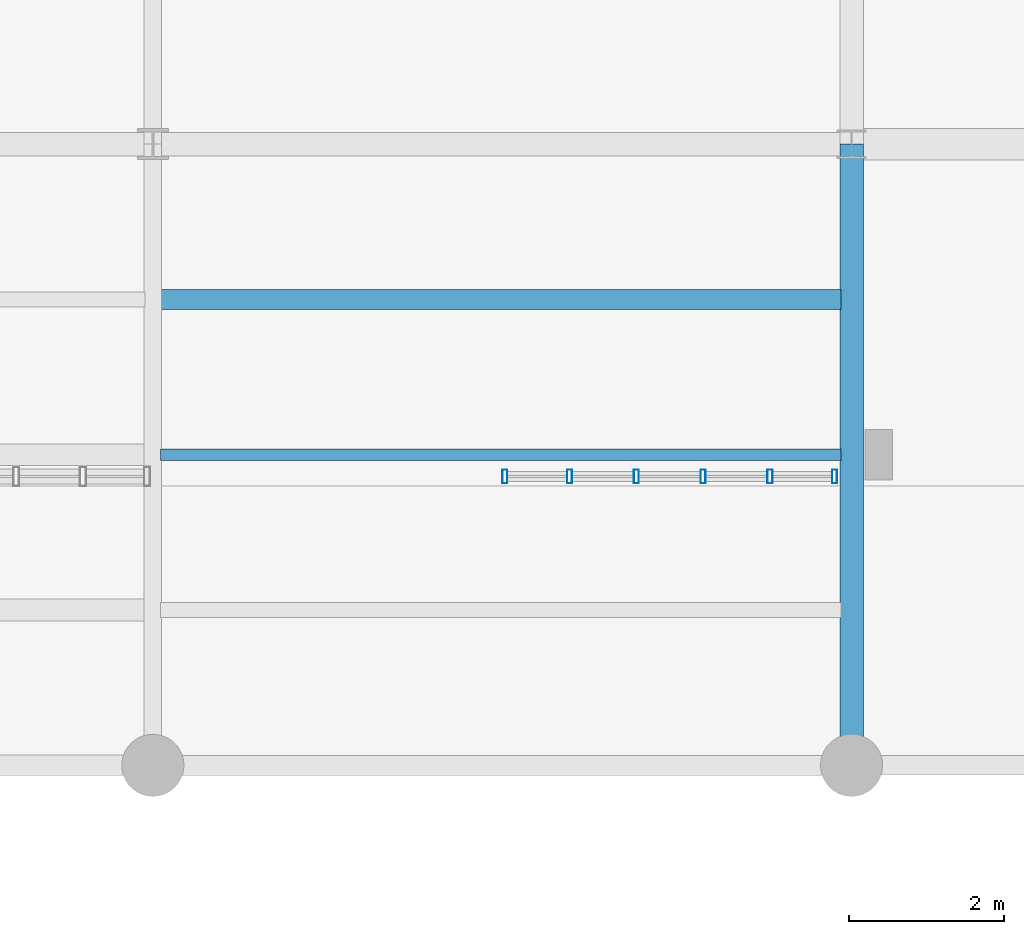
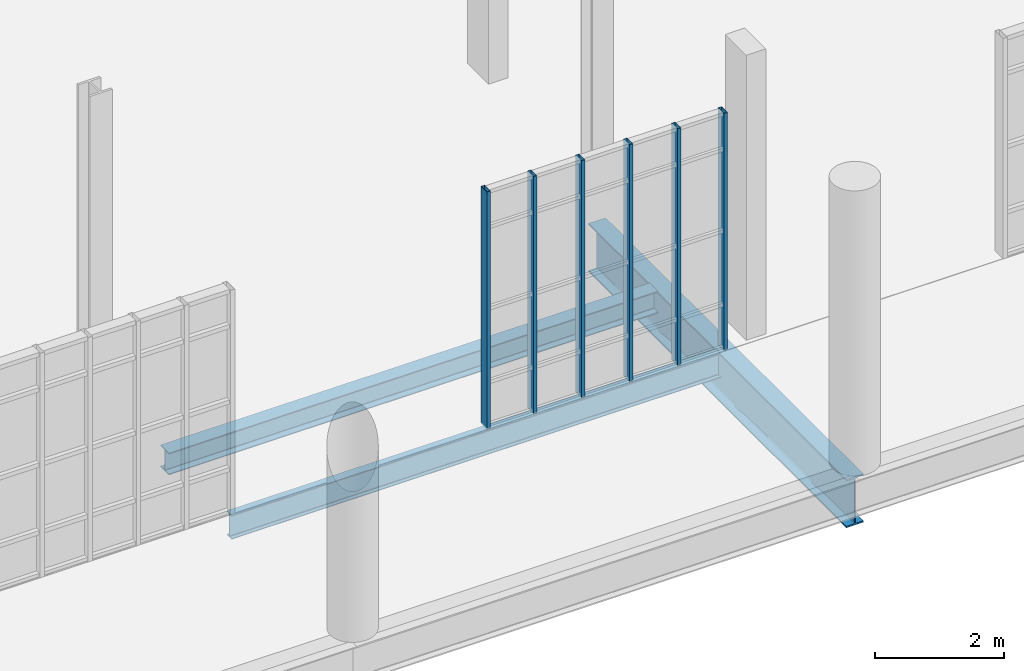
# One storey, part 104 of 189: 6 members, 3 beams, 1 element without a shape of its own.
"""IFC4 building model written with IfcOpenShell, lengths in metres."""

from ifc_helpers import new_model, si_unit, direction, frame, origin, origin_2d, place, context, subcontext, project, spatial, hollow_rectangle, i_section, extrude, material, layer, layer_set, material_profile, profile_set, type_object, element, aggregate, save


model = new_model("IFC4")

# Units and contexts
model_context = context("Model", 3, precision=1e-05, world=origin(), true_north=direction((0.0, 1.0)))
body_context = subcontext(model_context, "Body", "Model", "MODEL_VIEW")
ifc_project = project(units=[si_unit("LENGTHUNIT", "METRE"), si_unit("AREAUNIT", "SQUARE_METRE"), si_unit("VOLUMEUNIT", "CUBIC_METRE"), si_unit("PLANEANGLEUNIT", "RADIAN"), si_unit("MASSUNIT", "GRAM", prefix="KILO"), si_unit("THERMODYNAMICTEMPERATUREUNIT", "KELVIN"), si_unit("POWERUNIT", "WATT")], contexts=[model_context])

# Site, building, storey
site_placement = place(None, origin())
site = spatial("IfcSite", under=ifc_project, at=site_placement, CompositionType="ELEMENT")
building_placement = place(site_placement, origin())
building = spatial("IfcBuilding", under=site, at=building_placement, Name="Zelmaris Science Centre", CompositionType="ELEMENT")
storey_placement = place(building_placement, origin())
storey = spatial("IfcBuildingStorey", under=building, at=storey_placement, Name="L00", CompositionType="ELEMENT", Elevation=0.0)

# Curtain wall, members
ifc_material_1 = material(Name="Anodised architectural aluminium 6063-T6", Category="aluminium")
ifc_layer = layer(ifc_material_1, 0.2099609375, Name="Anodised architectural aluminium 6063-T6")
ifc_layer_set = layer_set([ifc_layer], Name="Anodised architectural aluminium 6063-T6")
curtain_wall_type = type_object("IfcCurtainWallType", Name="Curtain Wall CW-03", PredefinedType="USERDEFINED", material=ifc_layer_set)
curtain_wall_placement = place(storey_placement, origin())
curtain_wall = element("IfcCurtainWall", 1, at=curtain_wall_placement, inside=storey, type_object=curtain_wall_type, Name="L00 Unitised curtain wall 103", ObjectType="GLAZED CURTAIN WALL", PredefinedType="USERDEFINED")
ifc_material_profile_1 = material_profile(ifc_material_1, hollow_rectangle(XDim=0.06494140625, YDim=0.179931640625, WallThickness=0.00390625, at=origin_2d()), Name="ALU-MUL-65X180")
ifc_profile_set_1 = profile_set([ifc_material_profile_1], Name="Anodised architectural aluminium 6063-T6")
member_type = type_object("IfcMemberType", Name="ALU-MUL-65X180", PredefinedType="MULLION", material=ifc_profile_set_1)
member_1_placement = place(storey_placement, frame((143.781494140625, 11.72021484375, -0.014892578125), z_axis=(0.0, 0.0, 1.0), x_axis=(-1.0, 0.0, 0.0)))
member_1 = element("IfcMember", 2, at=member_1_placement, type_object=member_type, Name="CW-03 mullion 1", PredefinedType="MULLION", context=body_context, shape_type="SweptSolid", body=[
    extrude(hollow_rectangle(XDim=0.06494140625, YDim=0.179931640625, WallThickness=0.00390625, at=origin_2d()), origin(), (0.0, 0.0, 1.0), 4.48779296875),
])
member_2_placement = place(storey_placement, frame((142.94921875, 11.72021484375, -0.014892578125), z_axis=(0.0, 0.0, 1.0), x_axis=(-1.0, 0.0, 0.0)))
member_2 = element("IfcMember", 3, at=member_2_placement, type_object=member_type, Name="CW-03 mullion 2", PredefinedType="MULLION", context=body_context, shape_type="SweptSolid", body=[
    extrude(hollow_rectangle(XDim=0.06494140625, YDim=0.179931640625, WallThickness=0.00390625, at=origin_2d()), origin(), (0.0, 0.0, 1.0), 4.48779296875),
])
member_3_placement = place(storey_placement, frame((142.088623046875, 11.72021484375, -0.014892578125), z_axis=(0.0, 0.0, 1.0), x_axis=(-1.0, 0.0, 0.0)))
member_3 = element("IfcMember", 4, at=member_3_placement, type_object=member_type, Name="CW-03 mullion 3", PredefinedType="MULLION", context=body_context, shape_type="SweptSolid", body=[
    extrude(hollow_rectangle(XDim=0.06494140625, YDim=0.179931640625, WallThickness=0.00390625, at=origin_2d()), origin(), (0.0, 0.0, 1.0), 4.48779296875),
])
member_4_placement = place(storey_placement, frame((141.227783203125, 11.72021484375, -0.014892578125), z_axis=(0.0, 0.0, 1.0), x_axis=(-1.0, 0.0, 0.0)))
member_4 = element("IfcMember", 5, at=member_4_placement, type_object=member_type, Name="CW-03 mullion 4", PredefinedType="MULLION", context=body_context, shape_type="SweptSolid", body=[
    extrude(hollow_rectangle(XDim=0.06494140625, YDim=0.179931640625, WallThickness=0.00390625, at=origin_2d()), origin(), (0.0, 0.0, 1.0), 4.48779296875),
])
member_5_placement = place(storey_placement, frame((140.366943359375, 11.72021484375, -0.014892578125), z_axis=(0.0, 0.0, 1.0), x_axis=(-1.0, 0.0, 0.0)))
member_5 = element("IfcMember", 6, at=member_5_placement, type_object=member_type, Name="CW-03 mullion 5", PredefinedType="MULLION", context=body_context, shape_type="SweptSolid", body=[
    extrude(hollow_rectangle(XDim=0.06494140625, YDim=0.179931640625, WallThickness=0.00390625, at=origin_2d()), origin(), (0.0, 0.0, 1.0), 4.48779296875),
])
member_6_placement = place(storey_placement, frame((139.534912109375, 11.72021484375, -0.014892578125), z_axis=(0.0, 0.0, 1.0), x_axis=(-1.0, 0.0, 0.0)))
member_6 = element("IfcMember", 7, at=member_6_placement, type_object=member_type, Name="CW-03 mullion 6", PredefinedType="MULLION", context=body_context, shape_type="SweptSolid", body=[
    extrude(hollow_rectangle(XDim=0.06494140625, YDim=0.179931640625, WallThickness=0.00390625, at=origin_2d()), origin(), (0.0, 0.0, 1.0), 4.48779296875),
])
aggregate(curtain_wall, [member_1, member_2, member_3, member_4, member_5, member_6])

# Beams
ifc_material_2 = material(Name="Steel ASTM A992 Grade 50", Category="steel")
ifc_material_profile_2 = material_profile(ifc_material_2, i_section(OverallWidth=0.304931640625, OverallDepth=0.9189453125, WebThickness=0.017333984375, FlangeThickness=0.02783203125, FilletRadius=0.02392578125, at=origin_2d()), Name="W36X170")
ifc_profile_set_2 = profile_set([ifc_material_profile_2], Name="Steel ASTM A992 Grade 50")
beam_type_1 = type_object("IfcBeamType", Name="Beam G-26 W36X170", PredefinedType="BEAM", material=ifc_profile_set_2)
beam_1_placement = place(storey_placement, frame((144.0, 8.0, -0.74951171875), z_axis=(0.0, 1.0, 0.0), x_axis=(-1.0, 0.0, 0.0)))
element("IfcBeam", 8, at=beam_1_placement, inside=storey, type_object=beam_type_1, Name="L00 North-south girder 77", PredefinedType="BEAM", context=body_context, shape_type="SweptSolid", body=[
    extrude(i_section(OverallWidth=0.304931640625, OverallDepth=0.9189453125, WebThickness=0.017333984375, FlangeThickness=0.02783203125, FilletRadius=0.02392578125, at=origin_2d()), origin(), (0.0, 0.0, 1.0), 8.0),
])
ifc_material_profile_3 = material_profile(ifc_material_2, i_section(OverallWidth=0.152099609375, OverallDepth=0.455078125, WebThickness=0.008056640625, FlangeThickness=0.01318359375, FilletRadius=0.012939453125, at=origin_2d()), Name="W18X40")
ifc_profile_set_3 = profile_set([ifc_material_profile_3], Name="Steel ASTM A992 Grade 50")
beam_type_2 = type_object("IfcBeamType", Name="Beam J-05 W18X40", PredefinedType="JOIST", material=ifc_profile_set_3)
beam_2_placement = place(storey_placement, frame((135.099609375, 12.0, -0.517578125), z_axis=(1.0, 0.0, 0.0), x_axis=(0.0, 1.0, 0.0)))
element("IfcBeam", 9, at=beam_2_placement, inside=storey, type_object=beam_type_2, Name="L00 Composite floor joist 103", PredefinedType="JOIST", context=body_context, shape_type="SweptSolid", body=[
    extrude(i_section(OverallWidth=0.152099609375, OverallDepth=0.455078125, WebThickness=0.008056640625, FlangeThickness=0.01318359375, FilletRadius=0.012939453125, at=origin_2d()), origin(), (0.0, 0.0, 1.0), 8.762939453125),
])
ifc_material_profile_4 = material_profile(ifc_material_2, i_section(OverallWidth=0.260009765625, OverallDepth=0.4140625, WebThickness=0.010009765625, FlangeThickness=0.016845703125, FilletRadius=0.011962890625, at=origin_2d()), Name="W16X67")
ifc_profile_set_4 = profile_set([ifc_material_profile_4], Name="Steel ASTM A992 Grade 50")
beam_type_3 = type_object("IfcBeamType", Name="Beam J-06 W16X67", PredefinedType="JOIST", material=ifc_profile_set_4)
beam_3_placement = place(storey_placement, frame((135.099609375, 14.0, -0.4970703125), z_axis=(1.0, 0.0, 0.0), x_axis=(0.0, 1.0, 0.0)))
element("IfcBeam", 10, at=beam_3_placement, inside=storey, type_object=beam_type_3, Name="L00 Composite floor joist 104", PredefinedType="JOIST", context=body_context, shape_type="SweptSolid", body=[
    extrude(i_section(OverallWidth=0.260009765625, OverallDepth=0.4140625, WebThickness=0.010009765625, FlangeThickness=0.016845703125, FilletRadius=0.011962890625, at=origin_2d()), origin(), (0.0, 0.0, 1.0), 8.762939453125),
])

save(model, "model.ifc")
